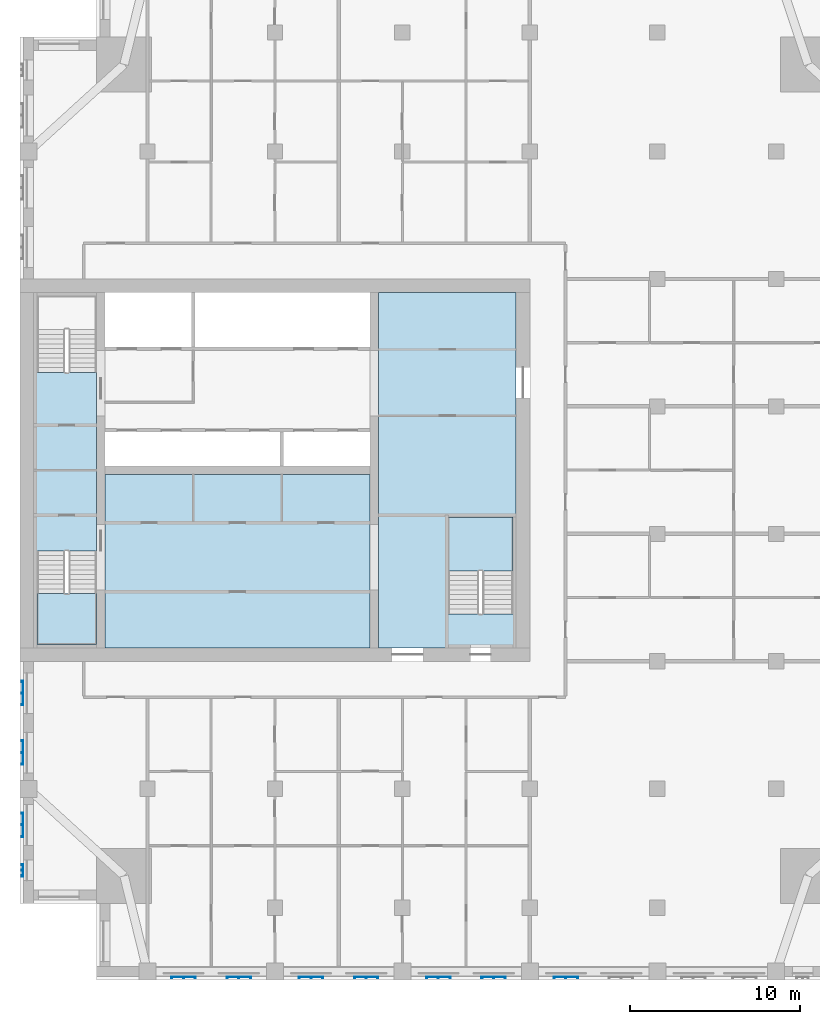
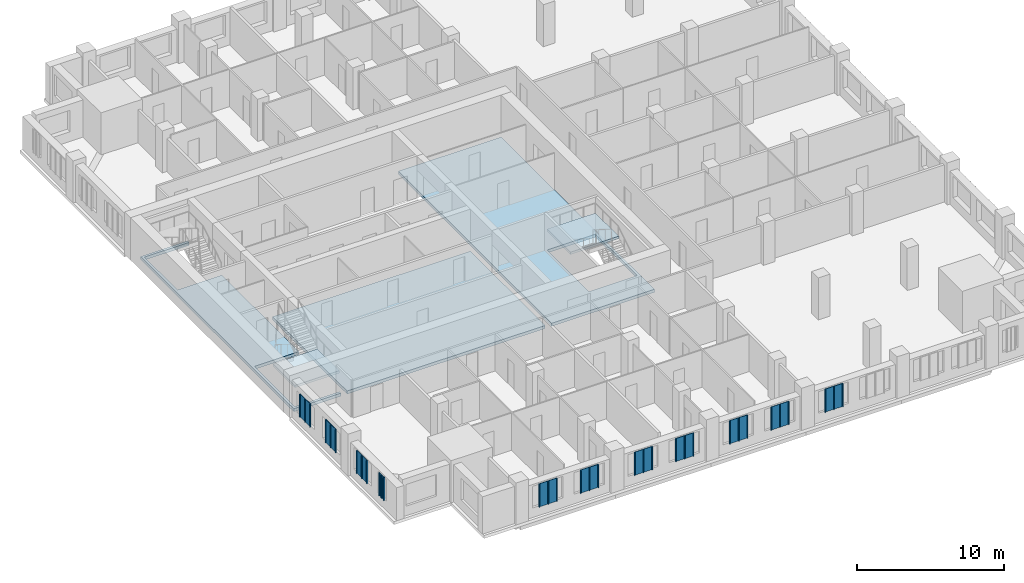
# One storey, part 2 of 14: 11 plates, 5 slabs, 2 elements without a shape of their own.
"""IFC4 building model written with IfcOpenShell, lengths in metres."""

from ifc_helpers import new_model, si_unit, direction, frame, origin, place, context, subcontext, project, spatial, polyline, outline, extrude, material, layer, layer_set, type_object, element, aggregate, save


model = new_model("IFC4")

# Units and contexts
model_context = context("Model", 3, precision=1e-05, world=origin(), true_north=direction((0.0, 1.0)))
body_context = subcontext(model_context, "Body", "Model", "MODEL_VIEW")
ifc_project = project(units=[si_unit("LENGTHUNIT", "METRE"), si_unit("AREAUNIT", "SQUARE_METRE"), si_unit("VOLUMEUNIT", "CUBIC_METRE"), si_unit("PLANEANGLEUNIT", "RADIAN"), si_unit("MASSUNIT", "GRAM", prefix="KILO")], contexts=[model_context])

# Site, building, storey
site_placement = place(None, origin())
site = spatial("IfcSite", under=ifc_project, at=site_placement, CompositionType="ELEMENT")
building_placement = place(site_placement, origin())
building = spatial("IfcBuilding", under=site, at=building_placement, Name="Tamorin Gate", CompositionType="ELEMENT")
storey_placement = place(building_placement, frame((0.0, 0.0, 210.699951171875)))
storey = spatial("IfcBuildingStorey", under=building, at=storey_placement, Name="L52", CompositionType="ELEMENT", Elevation=210.699951171875)

# Slabs
ifc_material_1 = material(Name="Concrete C40/50", Category="concrete")
ifc_layer_1 = layer(ifc_material_1, 0.25)
ifc_layer_set_1 = layer_set([ifc_layer_1], Name="Core floor slab 250 C40/50")
slab_type_1 = type_object("IfcSlabType", Name="Core floor slab 250 C40/50", PredefinedType="FLOOR", material=ifc_layer_set_1)
slab_1_placement = place(storey_placement, frame((0.0, 0.0, -0.25)))
element("IfcSlab", 1, at=slab_1_placement, inside=storey, type_object=slab_type_1, Name="Core floor L52", PredefinedType="FLOOR", context=body_context, shape_type="SweptSolid", body=[
    extrude(outline(polyline([(51.10009765625, 81.699951171875), (59.199951171875, 81.699951171875), (59.199951171875, 60.800048828125), (51.10009765625, 60.800048828125), (51.10009765625, 81.699951171875)]), holes=[polyline([(55.199951171875, 62.800048828125), (59.0, 62.800048828125), (59.0, 68.5), (55.199951171875, 68.5), (55.199951171875, 62.800048828125)])]), origin(), (0.0, 0.0, 1.0), 0.25),
])
slab_2_placement = place(storey_placement, frame((0.0, 0.0, -0.25)))
element("IfcSlab", 2, at=slab_2_placement, inside=storey, type_object=slab_type_1, Name="Core floor L52", PredefinedType="FLOOR", context=body_context, shape_type="SweptSolid", body=[
    extrude(outline(polyline([(50.60009765625, 71.0), (50.60009765625, 60.800048828125), (35.0, 60.800048828125), (35.0, 71.0), (50.60009765625, 71.0)])), origin(), (0.0, 0.0, 1.0), 0.25),
])
slab_3_placement = place(storey_placement, frame((0.0, 0.0, -0.25)))
element("IfcSlab", 3, at=slab_3_placement, inside=storey, type_object=slab_type_1, Name="Core floor L52", PredefinedType="FLOOR", context=body_context, shape_type="SweptSolid", body=[
    extrude(outline(polyline([(34.5, 60.800048828125), (30.800048828125, 60.800048828125), (30.800048828125, 81.699951171875), (34.5, 81.699951171875), (34.5, 81.5), (31.0, 81.5), (31.0, 77.0), (34.5, 77.0), (34.5, 66.5), (31.0, 66.5), (31.0, 61.0), (34.5, 61.0), (34.5, 60.800048828125)])), origin(), (0.0, 0.0, 1.0), 0.25),
])

# Stair, slab
stair_type = type_object("IfcStairType", Name="Exit stair", PredefinedType="HALF_TURN_STAIR", material=ifc_material_1)
stair_1_placement = place(storey_placement, origin())
stair_1 = element("IfcStair", 4, at=stair_1_placement, inside=storey, type_object=stair_type, Name="L52 stair ST1", PredefinedType="HALF_TURN_STAIR")
ifc_layer_2 = layer(ifc_material_1, 0.199951171875)
ifc_layer_set_2 = layer_set([ifc_layer_2], Name="Exit stair landing 200")
slab_type_2 = type_object("IfcSlabType", Name="Exit stair landing 200", PredefinedType="LANDING", material=ifc_layer_set_2)
slab_4_placement = place(storey_placement, frame((0.0, 0.0, 1.550048828125)))
slab_4 = element("IfcSlab", 5, at=slab_4_placement, type_object=slab_type_2, Name="ST1 landing 1", PredefinedType="LANDING", context=body_context, shape_type="SweptSolid", body=[
    extrude(outline(polyline([(31.0, 63.97998046875), (31.0, 61.0), (34.5, 61.0), (34.5, 63.97998046875), (31.0, 63.97998046875)])), origin(), (0.0, 0.0, 1.0), 0.199951171875),
])
aggregate(stair_1, [slab_4])

stair_2_placement = place(storey_placement, origin())
stair_2 = element("IfcStair", 6, at=stair_2_placement, inside=storey, type_object=stair_type, Name="L52 stair ST3", PredefinedType="HALF_TURN_STAIR")
slab_5_placement = place(storey_placement, frame((0.0, 0.0, 1.550048828125)))
slab_5 = element("IfcSlab", 7, at=slab_5_placement, type_object=slab_type_2, Name="ST3 landing 1", PredefinedType="LANDING", context=body_context, shape_type="SweptSolid", body=[
    extrude(outline(polyline([(59.0, 65.320068359375), (59.0, 68.5), (55.199951171875, 68.5), (55.199951171875, 65.320068359375), (59.0, 65.320068359375)])), origin(), (0.0, 0.0, 1.0), 0.199951171875),
])
aggregate(stair_2, [slab_5])

# Plates
ifc_material_2 = material(Name="Perforated pale aluminium sheet", Category="aluminium")
ifc_layer_3 = layer(ifc_material_2, 0.0400390625)
ifc_layer_set_3 = layer_set([ifc_layer_3], Name="Pale metal solar screen 1440")
plate_type_1 = type_object("IfcPlateType", Name="Pale metal solar screen 1440", PredefinedType="SHEET", material=ifc_layer_set_3)
plate_1_placement = place(storey_placement, frame((0.0, 0.0, 0.737548828125)))
element("IfcPlate", 8, at=plate_1_placement, inside=storey, type_object=plate_type_1, Name="Perforated solar screen", PredefinedType="SHEET", context=body_context, shape_type="SweptSolid", body=[
    extrude(outline(polyline([(38.905029296875, 41.409912109375), (38.905029296875, 41.449951171875), (38.965087890625, 41.449951171875), (39.594970703125, 41.449951171875), (39.655029296875, 41.449951171875), (40.284912109375, 41.449951171875), (40.344970703125, 41.449951171875), (40.344970703125, 41.449951171875), (40.344970703125, 41.409912109375), (40.344970703125, 41.409912109375), (40.344970703125, 41.35009765625), (40.284912109375, 41.35009765625), (40.284912109375, 41.409912109375), (39.655029296875, 41.409912109375), (39.655029296875, 41.35009765625), (39.594970703125, 41.35009765625), (39.594970703125, 41.409912109375), (38.965087890625, 41.409912109375), (38.965087890625, 41.35009765625), (38.905029296875, 41.35009765625), (38.905029296875, 41.409912109375)])), origin(), (0.0, 0.0, 1.0), 1.925048828125),
])
plate_2_placement = place(storey_placement, frame((0.0, 0.0, 0.737548828125)))
element("IfcPlate", 9, at=plate_2_placement, inside=storey, type_object=plate_type_1, Name="Perforated solar screen", PredefinedType="SHEET", context=body_context, shape_type="SweptSolid", body=[
    extrude(outline(polyline([(42.155029296875, 41.409912109375), (42.155029296875, 41.449951171875), (42.215087890625, 41.449951171875), (42.844970703125, 41.449951171875), (42.905029296875, 41.449951171875), (43.534912109375, 41.449951171875), (43.594970703125, 41.449951171875), (43.594970703125, 41.409912109375), (43.594970703125, 41.35009765625), (43.534912109375, 41.35009765625), (43.534912109375, 41.409912109375), (42.905029296875, 41.409912109375), (42.905029296875, 41.35009765625), (42.844970703125, 41.35009765625), (42.844970703125, 41.409912109375), (42.215087890625, 41.409912109375), (42.215087890625, 41.35009765625), (42.155029296875, 41.35009765625), (42.155029296875, 41.409912109375)])), origin(), (0.0, 0.0, 1.0), 1.925048828125),
])
plate_3_placement = place(storey_placement, frame((0.0, 0.0, 0.737548828125)))
element("IfcPlate", 10, at=plate_3_placement, inside=storey, type_object=plate_type_1, Name="Perforated solar screen", PredefinedType="SHEET", context=body_context, shape_type="SweptSolid", body=[
    extrude(outline(polyline([(46.405029296875, 41.409912109375), (46.405029296875, 41.449951171875), (46.465087890625, 41.449951171875), (47.094970703125, 41.449951171875), (47.155029296875, 41.449951171875), (47.784912109375, 41.449951171875), (47.844970703125, 41.449951171875), (47.844970703125, 41.409912109375), (47.844970703125, 41.35009765625), (47.784912109375, 41.35009765625), (47.784912109375, 41.409912109375), (47.155029296875, 41.409912109375), (47.155029296875, 41.35009765625), (47.094970703125, 41.35009765625), (47.094970703125, 41.409912109375), (46.465087890625, 41.409912109375), (46.465087890625, 41.35009765625), (46.405029296875, 41.35009765625), (46.405029296875, 41.409912109375)])), origin(), (0.0, 0.0, 1.0), 1.925048828125),
])
plate_4_placement = place(storey_placement, frame((0.0, 0.0, 0.737548828125)))
element("IfcPlate", 11, at=plate_4_placement, inside=storey, type_object=plate_type_1, Name="Perforated solar screen", PredefinedType="SHEET", context=body_context, shape_type="SweptSolid", body=[
    extrude(outline(polyline([(49.655029296875, 41.409912109375), (49.655029296875, 41.449951171875), (49.715087890625, 41.449951171875), (50.344970703125, 41.449951171875), (50.405029296875, 41.449951171875), (51.034912109375, 41.449951171875), (51.094970703125, 41.449951171875), (51.094970703125, 41.409912109375), (51.094970703125, 41.35009765625), (51.034912109375, 41.35009765625), (51.034912109375, 41.409912109375), (50.405029296875, 41.409912109375), (50.405029296875, 41.35009765625), (50.344970703125, 41.35009765625), (50.344970703125, 41.409912109375), (49.715087890625, 41.409912109375), (49.715087890625, 41.35009765625), (49.655029296875, 41.35009765625), (49.655029296875, 41.409912109375)])), origin(), (0.0, 0.0, 1.0), 1.925048828125),
])
plate_5_placement = place(storey_placement, frame((0.0, 0.0, 0.737548828125)))
element("IfcPlate", 12, at=plate_5_placement, inside=storey, type_object=plate_type_1, Name="Perforated solar screen", PredefinedType="SHEET", context=body_context, shape_type="SweptSolid", body=[
    extrude(outline(polyline([(53.905029296875, 41.409912109375), (53.905029296875, 41.449951171875), (53.965087890625, 41.449951171875), (54.594970703125, 41.449951171875), (54.655029296875, 41.449951171875), (55.284912109375, 41.449951171875), (55.344970703125, 41.449951171875), (55.344970703125, 41.409912109375), (55.344970703125, 41.35009765625), (55.284912109375, 41.35009765625), (55.284912109375, 41.409912109375), (54.655029296875, 41.409912109375), (54.655029296875, 41.35009765625), (54.594970703125, 41.35009765625), (54.594970703125, 41.409912109375), (53.965087890625, 41.409912109375), (53.965087890625, 41.35009765625), (53.905029296875, 41.35009765625), (53.905029296875, 41.409912109375)])), origin(), (0.0, 0.0, 1.0), 1.925048828125),
])
plate_6_placement = place(storey_placement, frame((0.0, 0.0, 0.737548828125)))
element("IfcPlate", 13, at=plate_6_placement, inside=storey, type_object=plate_type_1, Name="Perforated solar screen", PredefinedType="SHEET", context=body_context, shape_type="SweptSolid", body=[
    extrude(outline(polyline([(57.155029296875, 41.409912109375), (57.155029296875, 41.449951171875), (57.215087890625, 41.449951171875), (57.844970703125, 41.449951171875), (57.905029296875, 41.449951171875), (58.534912109375, 41.449951171875), (58.594970703125, 41.449951171875), (58.594970703125, 41.409912109375), (58.594970703125, 41.35009765625), (58.534912109375, 41.35009765625), (58.534912109375, 41.409912109375), (57.905029296875, 41.409912109375), (57.905029296875, 41.35009765625), (57.844970703125, 41.35009765625), (57.844970703125, 41.409912109375), (57.215087890625, 41.409912109375), (57.215087890625, 41.35009765625), (57.155029296875, 41.35009765625), (57.155029296875, 41.409912109375)])), origin(), (0.0, 0.0, 1.0), 1.925048828125),
])
plate_7_placement = place(storey_placement, frame((0.0, 0.0, 0.737548828125)))
element("IfcPlate", 14, at=plate_7_placement, inside=storey, type_object=plate_type_1, Name="Perforated solar screen", PredefinedType="SHEET", context=body_context, shape_type="SweptSolid", body=[
    extrude(outline(polyline([(61.405029296875, 41.409912109375), (61.405029296875, 41.449951171875), (61.465087890625, 41.449951171875), (62.094970703125, 41.449951171875), (62.155029296875, 41.449951171875), (62.784912109375, 41.449951171875), (62.844970703125, 41.449951171875), (62.844970703125, 41.409912109375), (62.844970703125, 41.35009765625), (62.784912109375, 41.35009765625), (62.784912109375, 41.409912109375), (62.155029296875, 41.409912109375), (62.155029296875, 41.35009765625), (62.094970703125, 41.35009765625), (62.094970703125, 41.409912109375), (61.465087890625, 41.409912109375), (61.465087890625, 41.35009765625), (61.405029296875, 41.35009765625), (61.405029296875, 41.409912109375)])), origin(), (0.0, 0.0, 1.0), 1.925048828125),
])
plate_8_placement = place(storey_placement, frame((0.0, 0.0, 0.737548828125)))
element("IfcPlate", 15, at=plate_8_placement, inside=storey, type_object=plate_type_1, Name="Perforated solar screen", PredefinedType="SHEET", context=body_context, shape_type="SweptSolid", body=[
    extrude(outline(polyline([(30.159912109375, 55.344970703125), (30.199951171875, 55.344970703125), (30.199951171875, 55.284912109375), (30.199951171875, 54.655029296875), (30.199951171875, 54.594970703125), (30.199951171875, 53.965087890625), (30.199951171875, 53.905029296875), (30.159912109375, 53.905029296875), (30.10009765625, 53.905029296875), (30.10009765625, 53.965087890625), (30.159912109375, 53.965087890625), (30.159912109375, 54.594970703125), (30.10009765625, 54.594970703125), (30.10009765625, 54.655029296875), (30.159912109375, 54.655029296875), (30.159912109375, 55.284912109375), (30.10009765625, 55.284912109375), (30.10009765625, 55.344970703125), (30.159912109375, 55.344970703125)])), origin(), (0.0, 0.0, 1.0), 1.925048828125),
])
plate_9_placement = place(storey_placement, frame((0.0, 0.0, 0.737548828125)))
element("IfcPlate", 16, at=plate_9_placement, inside=storey, type_object=plate_type_1, Name="Perforated solar screen", PredefinedType="SHEET", context=body_context, shape_type="SweptSolid", body=[
    extrude(outline(polyline([(30.159912109375, 58.844970703125), (30.199951171875, 58.844970703125), (30.199951171875, 58.784912109375), (30.199951171875, 58.155029296875), (30.199951171875, 58.094970703125), (30.199951171875, 57.465087890625), (30.199951171875, 57.405029296875), (30.159912109375, 57.405029296875), (30.10009765625, 57.405029296875), (30.10009765625, 57.465087890625), (30.159912109375, 57.465087890625), (30.159912109375, 58.094970703125), (30.10009765625, 58.094970703125), (30.10009765625, 58.155029296875), (30.159912109375, 58.155029296875), (30.159912109375, 58.784912109375), (30.10009765625, 58.784912109375), (30.10009765625, 58.844970703125), (30.159912109375, 58.844970703125)])), origin(), (0.0, 0.0, 1.0), 1.925048828125),
])
plate_10_placement = place(storey_placement, frame((0.0, 0.0, 0.737548828125)))
element("IfcPlate", 17, at=plate_10_placement, inside=storey, type_object=plate_type_1, Name="Perforated solar screen", PredefinedType="SHEET", context=body_context, shape_type="SweptSolid", body=[
    extrude(outline(polyline([(30.159912109375, 51.094970703125), (30.199951171875, 51.094970703125), (30.199951171875, 51.034912109375), (30.199951171875, 50.405029296875), (30.199951171875, 50.344970703125), (30.199951171875, 49.715087890625), (30.199951171875, 49.655029296875), (30.159912109375, 49.655029296875), (30.10009765625, 49.655029296875), (30.10009765625, 49.715087890625), (30.159912109375, 49.715087890625), (30.159912109375, 50.344970703125), (30.10009765625, 50.344970703125), (30.10009765625, 50.405029296875), (30.159912109375, 50.405029296875), (30.159912109375, 51.034912109375), (30.10009765625, 51.034912109375), (30.10009765625, 51.094970703125), (30.159912109375, 51.094970703125)])), origin(), (0.0, 0.0, 1.0), 1.925048828125),
])
ifc_layer_4 = layer(ifc_material_2, 0.0400390625)
ifc_layer_set_4 = layer_set([ifc_layer_4], Name="Pale metal solar screen 720")
plate_type_2 = type_object("IfcPlateType", Name="Pale metal solar screen 720", PredefinedType="SHEET", material=ifc_layer_set_4)
plate_11_placement = place(storey_placement, frame((0.0, 0.0, 0.737548828125)))
element("IfcPlate", 18, at=plate_11_placement, inside=storey, type_object=plate_type_2, Name="Perforated solar screen", PredefinedType="SHEET", context=body_context, shape_type="SweptSolid", body=[
    extrude(outline(polyline([(30.159912109375, 48.06005859375), (30.199951171875, 48.06005859375), (30.199951171875, 48.0), (30.199951171875, 47.72998046875), (30.199951171875, 47.669921875), (30.199951171875, 47.39990234375), (30.199951171875, 47.340087890625), (30.159912109375, 47.340087890625), (30.10009765625, 47.340087890625), (30.10009765625, 47.39990234375), (30.159912109375, 47.39990234375), (30.159912109375, 47.669921875), (30.10009765625, 47.669921875), (30.10009765625, 47.72998046875), (30.159912109375, 47.72998046875), (30.159912109375, 48.0), (30.10009765625, 48.0), (30.10009765625, 48.06005859375), (30.159912109375, 48.06005859375)])), origin(), (0.0, 0.0, 1.0), 1.925048828125),
])

save(model, "model.ifc")
